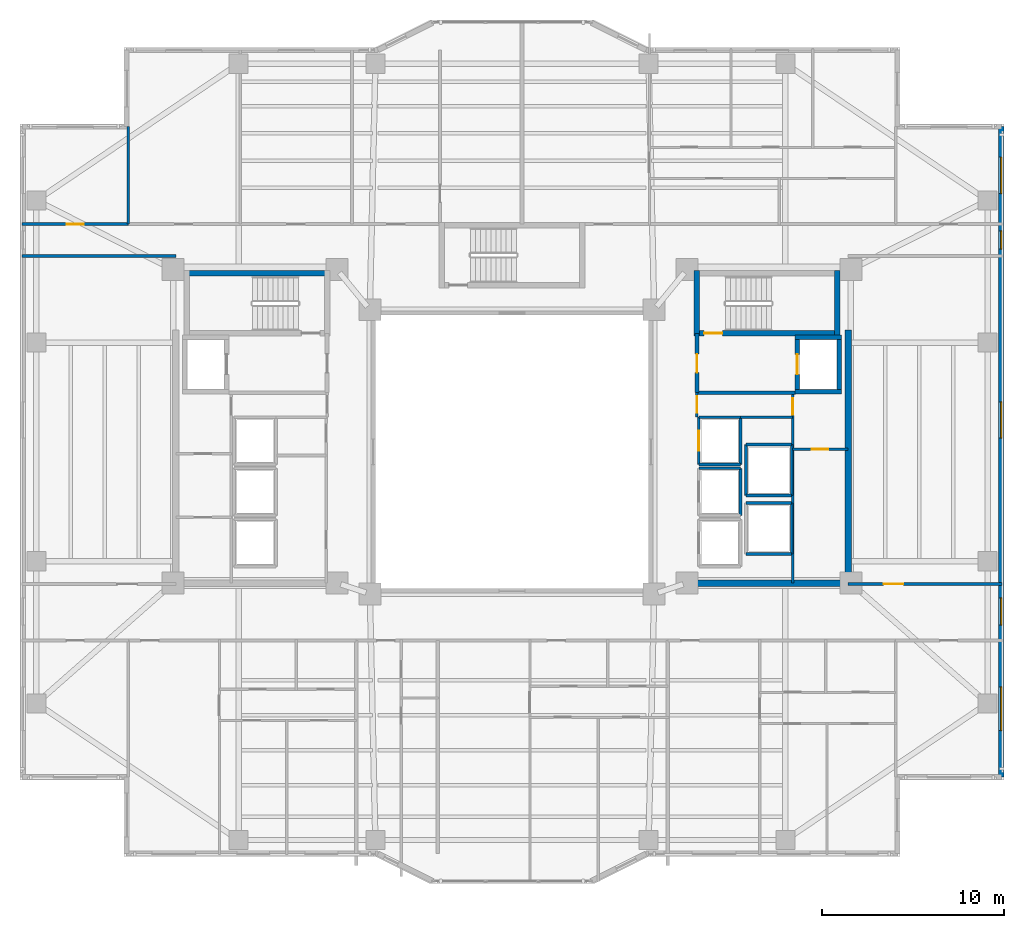
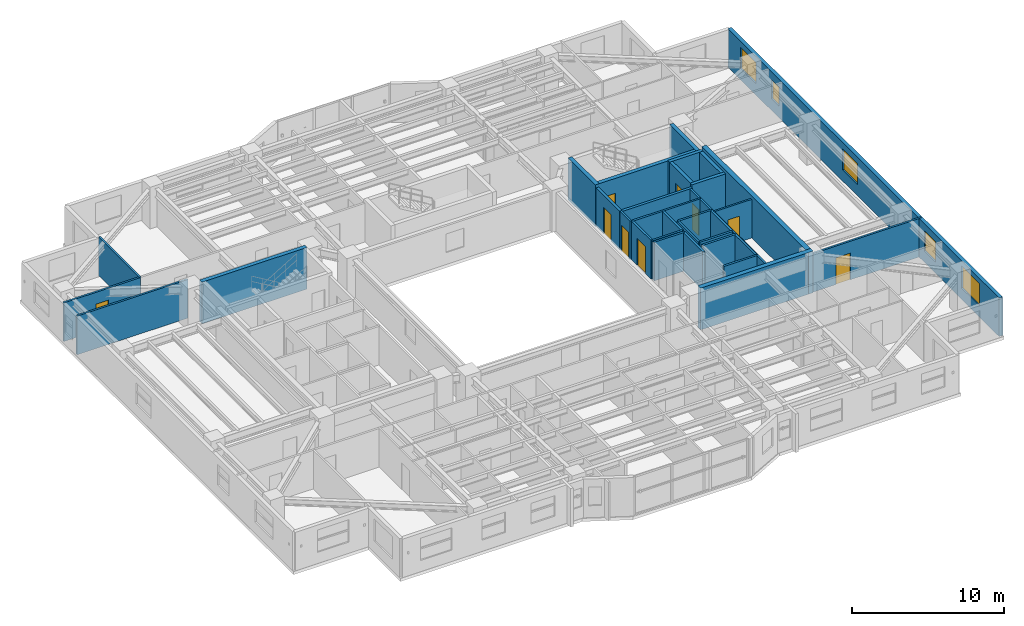
# One storey, part 9 of 18: 34 walls, 9 doors, 5 windows, 14 openings.
"""IFC4 building model written with IfcOpenShell, lengths in metres."""

import ifcopenshell
import ifcopenshell.guid

model = None  # the IFC model being written
_history = None  # IfcOwnerHistory: only IFC2X3 demands one
_inside = {}  # id of a spatial element -> (the spatial element, [elements in it])
_under = {}  # id of a project, library or spatial element -> (it, [spatial elements below it])
_declared = {}  # id of a project -> (the project, [libraries it declares])
_typed = {}  # id of a type object -> (the type object, [elements of that type])
_made_of = {}  # id of a material, layer set ... -> (it, [elements and type objects made of it])


def new_model(schema):
    """Start an empty IFC model of exactly this schema.

    Asked for "IFC4X3", IfcOpenShell would pick the latest addendum, in which some entities
    have other attributes; the version numbers below select the first issue.
    IFC2X3 requires an IfcOwnerHistory on every rooted entity: one is made here for all.
    """
    global model, _history
    if schema == "IFC4X3":
        model = ifcopenshell.file(schema_version=(4, 3, 0, 0))
    else:
        model = ifcopenshell.file(schema=schema)
    _inside.clear()
    _under.clear()
    _declared.clear()
    _typed.clear()
    _made_of.clear()
    _history = None
    if model.schema == "IFC2X3":
        org = make("IfcOrganization", Name="unknown")
        user = make(
            "IfcPersonAndOrganization",
            ThePerson=make("IfcPerson", FamilyName="unknown"),
            TheOrganization=org,
        )
        app = make(
            "IfcApplication",
            ApplicationDeveloper=org,
            Version="unknown",
            ApplicationFullName="unknown",
            ApplicationIdentifier="unknown",
        )
        _history = make(
            "IfcOwnerHistory",
            OwningUser=user,
            OwningApplication=app,
            ChangeAction="ADDED",
            CreationDate=0,
        )
    return model


def make(cls, **values):
    """One entity of the class cls with the attributes given. An attribute that is None is left unset."""
    return model.create_entity(
        cls, **{name: value for name, value in values.items() if value is not None}
    )


def rooted(cls, **values):
    """An entity with a GlobalId (a new one), such as an element, a storey or a relation."""
    return make(cls, GlobalId=ifcopenshell.guid.new(), OwnerHistory=_history, **values)


def si_unit(unit_type, name, prefix=None):
    """IfcSIUnit, for example si_unit("LENGTHUNIT", "METRE", prefix="MILLI")."""
    return make("IfcSIUnit", UnitType=unit_type, Prefix=prefix, Name=name)


def assignment(units):
    """IfcUnitAssignment: the units of a project."""
    return None if units is None else make("IfcUnitAssignment", Units=units)


def point(xyz):
    """IfcCartesianPoint."""
    return None if xyz is None else make("IfcCartesianPoint", Coordinates=xyz)


def direction(xyz):
    """IfcDirection."""
    return None if xyz is None else make("IfcDirection", DirectionRatios=xyz)


def frame(location, z_axis=None, x_axis=None):
    """IfcAxis2Placement3D, a coordinate frame: its origin and axes. An axis left out is left unset."""
    return make(
        "IfcAxis2Placement3D",
        Location=point(location),
        Axis=direction(z_axis),
        RefDirection=direction(x_axis),
    )


def frame_2d(location, x_axis=None):
    """IfcAxis2Placement2D, a coordinate frame in the plane: its origin and x axis."""
    return make(
        "IfcAxis2Placement2D", Location=point(location), RefDirection=direction(x_axis)
    )


def origin():
    """The frame at (0, 0, 0) with its axes left unset."""
    return frame((0.0, 0.0, 0.0))


def place(relative_to, where):
    """IfcLocalPlacement: puts the frame where relative to a parent placement (None: the world)."""
    return make(
        "IfcLocalPlacement", PlacementRelTo=relative_to, RelativePlacement=where
    )


def context(
    kind, dimensions, precision=None, world=None, true_north=None, identifier=None
):
    """IfcGeometricRepresentationContext, for example the 3D "Model" context."""
    return make(
        "IfcGeometricRepresentationContext",
        ContextIdentifier=identifier,
        ContextType=kind,
        CoordinateSpaceDimension=dimensions,
        Precision=precision,
        WorldCoordinateSystem=world,
        TrueNorth=true_north,
    )


def subcontext(parent, identifier, kind, view, scale=None):
    """IfcGeometricRepresentationSubContext, for example "Body" below "Model"."""
    return make(
        "IfcGeometricRepresentationSubContext",
        ContextIdentifier=identifier,
        ContextType=kind,
        ParentContext=parent,
        TargetScale=scale,
        TargetView=view,
    )


def project(units=None, contexts=None):
    """IfcProject with its units and contexts."""
    return rooted(
        "IfcProject",
        Name="project",
        RepresentationContexts=contexts,
        UnitsInContext=assignment(units),
    )


def spatial(cls, under=None, at=None, **own):
    """A site, building, storey or space (cls), placed at a placement, below another one or the project."""
    s = rooted(cls, ObjectPlacement=at, **own)
    if under is not None:
        _under.setdefault(under.id(), (under, []))[1].append(s)
    return s


def profile(cls, at=None, kind="AREA", **sizes):
    """A parametric profile (cls). Its sizes go by their IFC names, for example OverallWidth=200.0."""
    return make(cls, ProfileType=kind, Position=at, **sizes)


def rectangle(**sizes):
    """IfcRectangleProfileDef."""
    return profile("IfcRectangleProfileDef", **sizes)


def extrude(swept, where, along, depth):
    """IfcExtrudedAreaSolid: the profile swept, set in the frame where, extruded along a direction by depth."""
    return make(
        "IfcExtrudedAreaSolid",
        SweptArea=swept,
        Position=where,
        ExtrudedDirection=direction(along),
        Depth=depth,
    )


def shape(context_of_items, identifier, shape_type, items):
    """IfcShapeRepresentation: the items that make up one representation, for example the "Body"."""
    return make(
        "IfcShapeRepresentation",
        ContextOfItems=context_of_items,
        RepresentationIdentifier=identifier,
        RepresentationType=shape_type,
        Items=items,
    )


def material(Name=None, Category=None):
    """IfcMaterial."""
    return make("IfcMaterial", Name=Name, Category=Category)


def layer(
    of_material, thickness, ventilated=None, Name=None, Category=None, Priority=None
):
    """IfcMaterialLayer: one layer of a wall or slab, of a material (None: an air gap)."""
    return make(
        "IfcMaterialLayer",
        Material=of_material,
        LayerThickness=thickness,
        IsVentilated=ventilated,
        Name=Name,
        Category=Category,
        Priority=Priority,
    )


def layer_set(layers, Name=None):
    """IfcMaterialLayerSet."""
    return make("IfcMaterialLayerSet", MaterialLayers=layers, LayerSetName=Name)


def made_of(thing, what):
    """Note that an element or type object is made of a material, layer set ...; save() writes the relation."""
    if what is not None:
        _made_of.setdefault(what.id(), (what, []))[1].append(thing)
    return thing


def type_object(cls, material=None, **own):
    """A type object (cls), such as IfcWallType, which elements share."""
    return made_of(rooted(cls, **own), material)


def element(
    cls,
    number,
    at=None,
    inside=None,
    cuts=None,
    type_object=None,
    material=None,
    context=None,
    identifier="Body",
    shape_type=None,
    held_by="IfcProductDefinitionShape",
    body=None,
    shapes=None,
    **own,
):
    """One element of the class cls, such as IfcWall. Its Tag is "e" and its number.

    at: its placement. inside: the storey or other place that contains it. cuts: it is an
    opening in that element (IfcRelVoidsElement). A single representation is given by context,
    identifier, shape_type and body (its items); several are given by shapes. held_by: the class
    of the entity that holds the representations. save() writes the other relations.
    """
    e = rooted(cls, Tag="e%d" % number, ObjectPlacement=at, **own)
    if body is not None:
        shapes = [shape(context, identifier, shape_type, body)]
    if shapes is not None:
        e.Representation = make(held_by, Representations=shapes)
    if inside is not None:
        _inside.setdefault(inside.id(), (inside, []))[1].append(e)
    if cuts is not None:
        rooted(
            "IfcRelVoidsElement", RelatingBuildingElement=cuts, RelatedOpeningElement=e
        )
    if type_object is not None:
        _typed.setdefault(type_object.id(), (type_object, []))[1].append(e)
    return made_of(e, material)


def fill(opening, filler):
    """IfcRelFillsElement: the door or window that sits in an opening."""
    return rooted(
        "IfcRelFillsElement",
        RelatingOpeningElement=opening,
        RelatedBuildingElement=filler,
    )


def aggregate(whole, parts):
    """IfcRelAggregates: a whole, such as a stair, and the parts it consists of."""
    return rooted("IfcRelAggregates", RelatingObject=whole, RelatedObjects=parts)


def save(model, path):
    """Write the relations noted so far, then the file.

    IfcRelAggregates (storeys below a building ...), IfcRelContainedInSpatialStructure (elements
    in a storey), IfcRelDefinesByType, IfcRelAssociatesMaterial and IfcRelDeclares: one each for
    every whole, place, type object, material and project.
    """
    for whole, parts in _under.values():
        aggregate(whole, parts)
    for where, things in _inside.values():
        rooted(
            "IfcRelContainedInSpatialStructure",
            RelatedElements=things,
            RelatingStructure=where,
        )
    for kind, things in _typed.values():
        rooted("IfcRelDefinesByType", RelatedObjects=things, RelatingType=kind)
    for what, things in _made_of.values():
        rooted("IfcRelAssociatesMaterial", RelatedObjects=things, RelatingMaterial=what)
    for by, libraries in _declared.values():
        rooted("IfcRelDeclares", RelatingContext=by, RelatedDefinitions=libraries)
    model.write(path)


model = new_model("IFC4")

# Units and contexts
model_context = context("Model", 3, precision=1e-05, world=origin(), true_north=direction((0.0, 1.0)))
body_context = subcontext(model_context, "Body", "Model", "MODEL_VIEW")
ifc_project = project(units=[si_unit("LENGTHUNIT", "METRE"), si_unit("AREAUNIT", "SQUARE_METRE"), si_unit("VOLUMEUNIT", "CUBIC_METRE"), si_unit("PLANEANGLEUNIT", "RADIAN"), si_unit("MASSUNIT", "GRAM", prefix="KILO")], contexts=[model_context])

# Site, building, storey
site_placement = place(None, origin())
site = spatial("IfcSite", under=ifc_project, at=site_placement, CompositionType="ELEMENT")
building_placement = place(site_placement, origin())
building = spatial("IfcBuilding", under=site, at=building_placement, Name="Tarnavaz Court Tower", CompositionType="ELEMENT")
storey_placement = place(building_placement, frame((0.0, 0.0, 88.35009765625)))
storey = spatial("IfcBuildingStorey", under=building, at=storey_placement, Name="L23", CompositionType="ELEMENT", Elevation=88.35009765625)

# Wall, opening, door
ifc_material_1 = material(Name="Concrete C60/75", Category="concrete")
ifc_layer_1 = layer(ifc_material_1, 0.25)
ifc_layer_set_1 = layer_set([ifc_layer_1], Name="Concrete C60/75")
wall_type_1 = type_object("IfcWallType", Name="WL-CORE-250-C60", PredefinedType="SHEAR", material=ifc_layer_set_1)
wall_1_placement = place(storey_placement, frame((15.64990234375, 3.175048828125, 0.0), z_axis=(0.0, 0.0, 1.0), x_axis=(0.0, 1.0, 0.0)))
wall_1 = element("IfcWall", 1, at=wall_1_placement, inside=storey, type_object=wall_type_1, Name="L23 Lift FL-E1 Shaft Wall 033", PredefinedType="SHEAR", context=body_context, shape_type="SweptSolid", body=[
    extrude(rectangle(XDim=3.25, YDim=0.25, at=frame_2d((1.625, 0.0))), origin(), (0.0, 0.0, 1.0), 3.349853515625),
])
opening_1_placement = place(wall_1_placement, frame((1.074951171875, 0.0, 0.0)))
opening_1 = element("IfcOpeningElement", 2, at=opening_1_placement, cuts=wall_1, Name="Opening LD1", PredefinedType="OPENING", context=body_context, shape_type="SweptSolid", body=[
    extrude(rectangle(XDim=1.10009765625, YDim=2.14990234375, at=frame_2d((0.550048828125, 1.074951171875))), frame((0.0, 0.135009765625, 0.0), z_axis=(0.0, -1.0, 0.0), x_axis=(1.0, 0.0, 0.0)), (0.0, 0.0, 1.0), 0.27001953125),
])
ifc_material_2 = material(Name="Stainless Steel", Category="steel")
door_type_1 = type_object("IfcDoorType", Name="DR-LD-1100", OperationType="NOTDEFINED", PredefinedType="DOOR", material=ifc_material_2)
door_1_placement = place(opening_1_placement, origin())
door_1 = element("IfcDoor", 3, at=door_1_placement, inside=storey, type_object=door_type_1, Name="L23 Lift Landing Door LD-FL-E1", OperationType="SLIDING_TO_LEFT", OverallHeight=2.14990234375, OverallWidth=1.10009765625, PredefinedType="DOOR", context=body_context, shape_type="SweptSolid", body=[
    extrude(rectangle(XDim=1.10009765625, YDim=2.14990234375, at=frame_2d((0.550048828125, 1.074951171875))), frame((0.0, 0.02490234375, 0.0), z_axis=(0.0, -1.0, 0.0), x_axis=(1.0, 0.0, 0.0)), (0.0, 0.0, 1.0), 0.050048828125),
])
fill(opening_1, door_1)

# Walls
wall_2_placement = place(storey_placement, frame((17.949951171875, 3.175048828125, 0.0), z_axis=(0.0, 0.0, 1.0), x_axis=(0.0, 1.0, 0.0)))
element("IfcWall", 4, at=wall_2_placement, inside=storey, type_object=wall_type_1, Name="L23 Lift FL-E1 Shaft Wall 034", PredefinedType="SHEAR", context=body_context, shape_type="SweptSolid", body=[
    extrude(rectangle(XDim=3.25, YDim=0.25, at=frame_2d((1.625, 0.0))), origin(), (0.0, 0.0, 1.0), 3.349853515625),
])
for number, where, z_axis, x_axis, name in (
    (5, (15.52490234375, 3.300048828125, 0.0), (0.0, 0.0, 1.0), (1.0, 0.0, 0.0), "L23 Lift FL-E1 Shaft Wall 035"),
    (6, (15.52490234375, 6.300048828125, 0.0), (0.0, 0.0, 1.0), (1.0, 0.0, 0.0), "L23 Lift FL-E1 Shaft Wall 036"),
):
    element("IfcWall", number, at=place(storey_placement, frame(where, z_axis=z_axis, x_axis=x_axis)), inside=storey, type_object=wall_type_1, Name=name, PredefinedType="SHEAR", context=body_context, shape_type="SweptSolid", body=[
        extrude(rectangle(XDim=2.550048828125, YDim=0.25, at=frame_2d((1.27490234375, 0.0))), origin(), (0.0, 0.0, 1.0), 3.349853515625),
    ])
ifc_layer_2 = layer(ifc_material_1, 0.300048828125)
ifc_layer_set_2 = layer_set([ifc_layer_2], Name="Concrete C60/75")
wall_type_2 = type_object("IfcWallType", Name="WL-CORE-300-C60", PredefinedType="SHEAR", material=ifc_layer_set_2)
wall_3_placement = place(storey_placement, frame((-18.0, 9.7900390625, 0.0), z_axis=(0.0, 0.0, 1.0), x_axis=(1.0, 0.0, 0.0)))
element("IfcWall", 7, at=wall_3_placement, inside=storey, type_object=wall_type_2, Name="L23 West Stair Core Wall 001", PredefinedType="SHEAR", context=body_context, shape_type="SweptSolid", body=[
    extrude(rectangle(XDim=8.0, YDim=0.300048828125, at=frame_2d((4.0, 0.0))), origin(), (0.0, 0.0, 1.0), 3.349853515625),
])

# Wall, opening, door
wall_4_placement = place(storey_placement, frame((10.0, 6.5, 0.0), z_axis=(0.0, 0.0, 1.0), x_axis=(1.0, 0.0, 0.0)))
wall_4 = element("IfcWall", 8, at=wall_4_placement, inside=storey, type_object=wall_type_2, Name="L23 East Stair Core Wall 006", PredefinedType="SHEAR", context=body_context, shape_type="SweptSolid", body=[
    extrude(rectangle(XDim=8.0, YDim=0.300048828125, at=frame_2d((4.0, 0.0))), origin(), (0.0, 0.0, 1.0), 3.349853515625),
])
opening_2_placement = place(wall_4_placement, frame((0.550048828125, 0.0, 0.0)))
opening_2 = element("IfcOpeningElement", 9, at=opening_2_placement, cuts=wall_4, Name="Opening D01", PredefinedType="OPENING", context=body_context, shape_type="SweptSolid", body=[
    extrude(rectangle(XDim=1.0, YDim=2.14990234375, at=frame_2d((0.5, 1.074951171875))), frame((0.0, 0.159912109375, 0.0), z_axis=(0.0, -1.0, 0.0), x_axis=(1.0, 0.0, 0.0)), (0.0, 0.0, 1.0), 0.320068359375),
])
ifc_material_3 = material(Name="Fire-Rated Hardwood Timber Core", Category="wood")
door_type_2 = type_object("IfcDoorType", Name="DR-FD90-1000", OperationType="NOTDEFINED", PredefinedType="DOOR", material=ifc_material_3)
door_2_placement = place(opening_2_placement, origin())
door_2 = element("IfcDoor", 10, at=door_2_placement, inside=storey, type_object=door_type_2, Name="L23 Stair ST-E1 Exit Door", OperationType="SINGLE_SWING_RIGHT", OverallHeight=2.14990234375, OverallWidth=1.0, PredefinedType="DOOR", context=body_context, shape_type="SweptSolid", body=[
    extrude(rectangle(XDim=1.0, YDim=2.14990234375, at=frame_2d((0.5, 1.074951171875))), frame((0.0, 0.02490234375, 0.0), z_axis=(0.0, -1.0, 0.0), x_axis=(1.0, 0.0, 0.0)), (0.0, 0.0, 1.0), 0.050048828125),
])
fill(opening_2, door_2)

# Walls
for number, where, z_axis, x_axis, name in (
    (11, (10.14990234375, 6.35009765625, 0.0), (0.0, 0.0, 1.0), (0.0, 1.0, 0.0), "L23 East Stair Core Wall 007"),
    (12, (17.85009765625, 6.35009765625, 0.0), (0.0, 0.0, 1.0), (0.0, 1.0, 0.0), "L23 East Stair Core Wall 008"),
):
    element("IfcWall", number, at=place(storey_placement, frame(where, z_axis=z_axis, x_axis=x_axis)), inside=storey, type_object=wall_type_2, Name=name, PredefinedType="SHEAR", context=body_context, shape_type="SweptSolid", body=[
        extrude(rectangle(XDim=3.58984375, YDim=0.300048828125, at=frame_2d((1.794921875, 0.0))), origin(), (0.0, 0.0, 1.0), 3.349853515625),
    ])
ifc_layer_3 = layer(ifc_material_1, 0.35009765625)
ifc_layer_set_3 = layer_set([ifc_layer_3], Name="Concrete C60/75")
wall_type_3 = type_object("IfcWallType", Name="WL-CORE-350-C60", PredefinedType="SHEAR", material=ifc_layer_set_3)
wall_5_placement = place(storey_placement, frame((18.449951171875, -7.375, 0.0), z_axis=(0.0, 0.0, 1.0), x_axis=(0.0, 1.0, 0.0)))
element("IfcWall", 13, at=wall_5_placement, inside=storey, type_object=wall_type_3, Name="L23 East Core Shear Wall 059", PredefinedType="SHEAR", context=body_context, shape_type="SweptSolid", body=[
    extrude(rectangle(XDim=14.050048828125, YDim=0.35009765625, at=frame_2d((7.02490234375, 0.0))), origin(), (0.0, 0.0, 1.0), 3.349853515625),
])
wall_6_placement = place(storey_placement, frame((10.074951171875, -7.199951171875, 0.0), z_axis=(0.0, 0.0, 1.0), x_axis=(1.0, 0.0, 0.0)))
element("IfcWall", 14, at=wall_6_placement, inside=storey, type_object=wall_type_3, Name="L23 East Core South Shear Wall 060", PredefinedType="SHEAR", context=body_context, shape_type="SweptSolid", body=[
    extrude(rectangle(XDim=8.550048828125, YDim=0.35009765625, at=frame_2d((4.27490234375, 0.0))), origin(), (0.0, 0.0, 1.0), 3.349853515625),
])

# Wall, openings, windows
ifc_material_4 = material(Name="Precast Concrete C40/50", Category="concrete")
ifc_layer_4 = layer(ifc_material_4, 0.280029296875)
ifc_layer_set_4 = layer_set([ifc_layer_4], Name="Precast Concrete C40/50")
wall_type_4 = type_object("IfcWallType", Name="WL-EXT-280", PredefinedType="SOLIDWALL", material=ifc_layer_set_4)
wall_7_placement = place(storey_placement, frame((26.85009765625, 17.85009765625, 0.0), z_axis=(0.0, 0.0, 1.0), x_axis=(0.0, -1.0, 0.0)))
wall_7 = element("IfcWall", 15, at=wall_7_placement, inside=storey, type_object=wall_type_4, Name="L23 Exterior Terracotta Facade Wall 12", PredefinedType="SOLIDWALL", context=body_context, shape_type="SweptSolid", body=[
    extrude(rectangle(XDim=35.7001953125, YDim=0.280029296875, at=frame_2d((17.85009765625, 0.0))), origin(), (0.0, 0.0, 1.0), 3.099853515625),
])
opening_3_placement = place(wall_7_placement, frame((1.675048828125, 0.0, 0.89990234375)))
opening_3 = element("IfcOpeningElement", 16, at=opening_3_placement, cuts=wall_7, Name="Opening W08", PredefinedType="OPENING", context=body_context, shape_type="SweptSolid", body=[
    extrude(rectangle(XDim=2.0, YDim=1.699951171875, at=frame_2d((1.0, 0.85009765625))), frame((0.0, 0.14990234375, 0.0), z_axis=(0.0, -1.0, 0.0), x_axis=(1.0, 0.0, 0.0)), (0.0, 0.0, 1.0), 0.300048828125),
])
opening_4_placement = place(wall_7_placement, frame((5.72509765625, 0.0, 0.949951171875)))
opening_4 = element("IfcOpeningElement", 17, at=opening_4_placement, cuts=wall_7, Name="Opening W14", PredefinedType="OPENING", context=body_context, shape_type="SweptSolid", body=[
    extrude(rectangle(XDim=1.0, YDim=1.5, at=frame_2d((0.5, 0.75))), frame((0.0, 0.14990234375, 0.0), z_axis=(0.0, -1.0, 0.0), x_axis=(1.0, 0.0, 0.0)), (0.0, 0.0, 1.0), 0.300048828125),
])
opening_5_placement = place(wall_7_placement, frame((15.10009765625, 0.0, 0.89990234375)))
opening_5 = element("IfcOpeningElement", 18, at=opening_5_placement, cuts=wall_7, Name="Opening W08", PredefinedType="OPENING", context=body_context, shape_type="SweptSolid", body=[
    extrude(rectangle(XDim=2.0, YDim=1.699951171875, at=frame_2d((1.0, 0.85009765625))), frame((0.0, 0.14990234375, 0.0), z_axis=(0.0, -1.0, 0.0), x_axis=(1.0, 0.0, 0.0)), (0.0, 0.0, 1.0), 0.300048828125),
])
opening_6_placement = place(wall_7_placement, frame((25.857421875, 0.0, 0.89990234375)))
opening_6 = element("IfcOpeningElement", 19, at=opening_6_placement, cuts=wall_7, Name="Opening W03", PredefinedType="OPENING", context=body_context, shape_type="SweptSolid", body=[
    extrude(rectangle(XDim=1.5, YDim=1.64990234375, at=frame_2d((0.75, 0.824951171875))), frame((0.0, 0.14990234375, 0.0), z_axis=(0.0, -1.0, 0.0), x_axis=(1.0, 0.0, 0.0)), (0.0, 0.0, 1.0), 0.300048828125),
])
opening_7_placement = place(wall_7_placement, frame((30.75, 0.0, 0.89990234375)))
opening_7 = element("IfcOpeningElement", 20, at=opening_7_placement, cuts=wall_7, Name="Opening W06", PredefinedType="OPENING", context=body_context, shape_type="SweptSolid", body=[
    extrude(rectangle(XDim=2.39990234375, YDim=1.800048828125, at=frame_2d((1.199951171875, 0.89990234375))), frame((0.0, 0.14990234375, 0.0), z_axis=(0.0, -1.0, 0.0), x_axis=(1.0, 0.0, 0.0)), (0.0, 0.0, 1.0), 0.300048828125),
])
ifc_material_5 = material(Name="Double-Glazed Solar Low-E Glass", Category="glass")
window_type_1 = type_object("IfcWindowType", Name="WN-APT-1000", PartitioningType="SINGLE_PANEL", PredefinedType="WINDOW", material=ifc_material_5)
window_1_placement = place(opening_4_placement, origin())
window_1 = element("IfcWindow", 21, at=window_1_placement, inside=storey, type_object=window_type_1, Name="L23 North-East Corner Corridor Window", OverallHeight=1.5, OverallWidth=1.0, PartitioningType="SINGLE_PANEL", PredefinedType="WINDOW", context=body_context, shape_type="SweptSolid", body=[
    extrude(rectangle(XDim=1.0, YDim=1.5, at=frame_2d((0.5, 0.75))), frame((0.0, 0.030029296875, 0.0), z_axis=(0.0, -1.0, 0.0), x_axis=(1.0, 0.0, 0.0)), (0.0, 0.0, 1.0), 0.06005859375),
])
fill(opening_4, window_1)
window_type_2 = type_object("IfcWindowType", Name="WN-APT-1500", PartitioningType="DOUBLE_PANEL_VERTICAL", PredefinedType="WINDOW", material=ifc_material_5)
window_2_placement = place(opening_6_placement, origin())
window_2 = element("IfcWindow", 22, at=window_2_placement, inside=storey, type_object=window_type_2, Name="L23 South-East Corner Corridor Window", OverallHeight=1.64990234375, OverallWidth=1.5, PartitioningType="SINGLE_PANEL", PredefinedType="WINDOW", context=body_context, shape_type="SweptSolid", body=[
    extrude(rectangle(XDim=1.5, YDim=1.64990234375, at=frame_2d((0.75, 0.824951171875))), frame((0.0, 0.030029296875, 0.0), z_axis=(0.0, -1.0, 0.0), x_axis=(1.0, 0.0, 0.0)), (0.0, 0.0, 1.0), 0.06005859375),
])
fill(opening_6, window_2)
window_type_3 = type_object("IfcWindowType", Name="WN-APT-2000", PartitioningType="DOUBLE_PANEL_VERTICAL", PredefinedType="WINDOW", material=ifc_material_5)
window_3_placement = place(opening_3_placement, origin())
window_3 = element("IfcWindow", 23, at=window_3_placement, inside=storey, type_object=window_type_3, Name="L23 North-East Corner Sunroom Study Window", OverallHeight=1.699951171875, OverallWidth=2.0, PartitioningType="SINGLE_PANEL", PredefinedType="WINDOW", context=body_context, shape_type="SweptSolid", body=[
    extrude(rectangle(XDim=2.0, YDim=1.699951171875, at=frame_2d((1.0, 0.85009765625))), frame((0.0, 0.030029296875, 0.0), z_axis=(0.0, -1.0, 0.0), x_axis=(1.0, 0.0, 0.0)), (0.0, 0.0, 1.0), 0.06005859375),
])
fill(opening_3, window_3)
window_4_placement = place(opening_5_placement, origin())
window_4 = element("IfcWindow", 24, at=window_4_placement, inside=storey, type_object=window_type_3, Name="L23 East Wing Resident Fitness Lounge Window", OverallHeight=1.699951171875, OverallWidth=2.0, PartitioningType="SINGLE_PANEL", PredefinedType="WINDOW", context=body_context, shape_type="SweptSolid", body=[
    extrude(rectangle(XDim=2.0, YDim=1.699951171875, at=frame_2d((1.0, 0.85009765625))), frame((0.0, 0.030029296875, 0.0), z_axis=(0.0, -1.0, 0.0), x_axis=(1.0, 0.0, 0.0)), (0.0, 0.0, 1.0), 0.06005859375),
])
fill(opening_5, window_4)
window_type_4 = type_object("IfcWindowType", Name="WN-APT-2400", PartitioningType="TRIPLE_PANEL_VERTICAL", PredefinedType="WINDOW", material=ifc_material_5)
window_5_placement = place(opening_7_placement, origin())
window_5 = element("IfcWindow", 25, at=window_5_placement, inside=storey, type_object=window_type_4, Name="L23 South-East Corner Reading Room Window", OverallHeight=1.800048828125, OverallWidth=2.39990234375, PartitioningType="SINGLE_PANEL", PredefinedType="WINDOW", context=body_context, shape_type="SweptSolid", body=[
    extrude(rectangle(XDim=2.39990234375, YDim=1.800048828125, at=frame_2d((1.199951171875, 0.89990234375))), frame((0.0, 0.030029296875, 0.0), z_axis=(0.0, -1.0, 0.0), x_axis=(1.0, 0.0, 0.0)), (0.0, 0.0, 1.0), 0.06005859375),
])
fill(opening_7, window_5)

# Wall
ifc_material_6 = material(Name="Gypsum Fire-Board on Acoustic Metal Stud", Category="masonry")
ifc_layer_5 = layer(ifc_material_6, 0.14990234375)
ifc_layer_set_5 = layer_set([ifc_layer_5], Name="Gypsum Fire-Board on Acoustic Metal Stud")
wall_type_5 = type_object("IfcWallType", Name="WL-FIRE-150", PredefinedType="PARTITIONING", material=ifc_layer_set_5)
wall_8_placement = place(storey_placement, frame((-26.8798828125, 10.75, 0.0), z_axis=(0.0, 0.0, 1.0), x_axis=(1.0, 0.0, 0.0)))
element("IfcWall", 26, at=wall_8_placement, inside=storey, type_object=wall_type_5, Name="L23 Interior Partition 113", PredefinedType="PARTITIONING", context=body_context, shape_type="SweptSolid", body=[
    extrude(rectangle(XDim=8.429931640625, YDim=0.14990234375, at=frame_2d((4.21484375, 0.0))), origin(), (0.0, 0.0, 1.0), 3.099853515625),
])

# Wall, opening, door
wall_9_placement = place(storey_placement, frame((18.449951171875, -7.25, 0.0), z_axis=(0.0, 0.0, 1.0), x_axis=(1.0, 0.0, 0.0)))
wall_9 = element("IfcWall", 27, at=wall_9_placement, inside=storey, type_object=wall_type_5, Name="L23 Interior Partition 114", PredefinedType="PARTITIONING", context=body_context, shape_type="SweptSolid", body=[
    extrude(rectangle(XDim=8.429931640625, YDim=0.14990234375, at=frame_2d((4.21484375, 0.0))), origin(), (0.0, 0.0, 1.0), 3.099853515625),
])
opening_8_placement = place(wall_9_placement, frame((1.949951171875, 0.0, 0.0)))
opening_8 = element("IfcOpeningElement", 28, at=opening_8_placement, cuts=wall_9, Name="Opening D12", PredefinedType="OPENING", context=body_context, shape_type="SweptSolid", body=[
    extrude(rectangle(XDim=1.080078125, YDim=2.14990234375, at=frame_2d((0.5400390625, 1.074951171875))), frame((0.0, 0.0849609375, 0.0), z_axis=(0.0, -1.0, 0.0), x_axis=(1.0, 0.0, 0.0)), (0.0, 0.0, 1.0), 0.169921875),
])
ifc_material_7 = material(Name="Engineered Oak Timber", Category="wood")
door_type_3 = type_object("IfcDoorType", Name="DR-INT-1100", OperationType="NOTDEFINED", PredefinedType="DOOR", material=ifc_material_7)
door_3_placement = place(opening_8_placement, origin())
door_3 = element("IfcDoor", 29, at=door_3_placement, inside=storey, type_object=door_type_3, Name="L23 East Fitness Lounge Door", OperationType="SINGLE_SWING_LEFT", OverallHeight=2.14990234375, OverallWidth=1.080078125, PredefinedType="DOOR", context=body_context, shape_type="SweptSolid", body=[
    extrude(rectangle(XDim=1.080078125, YDim=2.14990234375, at=frame_2d((0.5400390625, 1.074951171875))), frame((0.0, 0.02490234375, 0.0), z_axis=(0.0, -1.0, 0.0), x_axis=(1.0, 0.0, 0.0)), (0.0, 0.0, 1.0), 0.050048828125),
])
fill(opening_8, door_3)

wall_10_placement = place(storey_placement, frame((-26.8798828125, 12.5, 0.0), z_axis=(0.0, 0.0, 1.0), x_axis=(1.0, 0.0, 0.0)))
wall_10 = element("IfcWall", 30, at=wall_10_placement, inside=storey, type_object=wall_type_5, Name="L23 Interior Partition 120", PredefinedType="PARTITIONING", context=body_context, shape_type="SweptSolid", body=[
    extrude(rectangle(XDim=5.829833984375, YDim=0.14990234375, at=frame_2d((2.9150390625, 0.0))), origin(), (0.0, 0.0, 1.0), 3.099853515625),
])
opening_9_placement = place(wall_10_placement, frame((2.43994140625, 0.0, 0.0)))
opening_9 = element("IfcOpeningElement", 31, at=opening_9_placement, cuts=wall_10, Name="Opening D13", PredefinedType="OPENING", context=body_context, shape_type="SweptSolid", body=[
    extrude(rectangle(XDim=0.949951171875, YDim=2.14990234375, at=frame_2d((0.47509765625, 1.074951171875))), frame((0.0, 0.0849609375, 0.0), z_axis=(0.0, -1.0, 0.0), x_axis=(1.0, 0.0, 0.0)), (0.0, 0.0, 1.0), 0.169921875),
])
door_type_4 = type_object("IfcDoorType", Name="DR-INT-950", OperationType="NOTDEFINED", PredefinedType="DOOR", material=ifc_material_7)
door_4_placement = place(opening_9_placement, origin())
door_4 = element("IfcDoor", 32, at=door_4_placement, inside=storey, type_object=door_type_4, Name="L23 NW Sunroom Door", OperationType="SINGLE_SWING_RIGHT", OverallHeight=2.14990234375, OverallWidth=0.949951171875, PredefinedType="DOOR", context=body_context, shape_type="SweptSolid", body=[
    extrude(rectangle(XDim=0.949951171875, YDim=2.14990234375, at=frame_2d((0.47509765625, 1.074951171875))), frame((0.0, 0.02490234375, 0.0), z_axis=(0.0, -1.0, 0.0), x_axis=(1.0, 0.0, 0.0)), (0.0, 0.0, 1.0), 0.050048828125),
])
fill(opening_9, door_4)

# Wall
ifc_material_8 = material(Name="Autoclaved Aerated Concrete Blockwork", Category="masonry")
ifc_layer_6 = layer(ifc_material_8, 0.199951171875)
ifc_layer_set_6 = layer_set([ifc_layer_6], Name="Autoclaved Aerated Concrete Blockwork")
wall_type_6 = type_object("IfcWallType", Name="WL-FIRE-200", PredefinedType="SOLIDWALL", material=ifc_layer_set_6)
wall_11_placement = place(storey_placement, frame((10.14990234375, 3.25, 0.0), z_axis=(0.0, 0.0, 1.0), x_axis=(1.0, 0.0, 0.0)))
element("IfcWall", 33, at=wall_11_placement, inside=storey, type_object=wall_type_6, Name="L23 East Firefighting Lobby Wall 015", PredefinedType="SOLIDWALL", context=body_context, shape_type="SweptSolid", body=[
    extrude(rectangle(XDim=5.400146484375, YDim=0.199951171875, at=frame_2d((2.7001953125, 0.0))), origin(), (0.0, 0.0, 1.0), 3.099853515625),
])

# Wall, opening, door
wall_12_placement = place(storey_placement, frame((10.14990234375, 3.25, 0.0), z_axis=(0.0, 0.0, 1.0), x_axis=(0.0, 1.0, 0.0)))
wall_12 = element("IfcWall", 34, at=wall_12_placement, inside=storey, type_object=wall_type_6, Name="L23 East Firefighting Lobby Wall 016", PredefinedType="SOLIDWALL", context=body_context, shape_type="SweptSolid", body=[
    extrude(rectangle(XDim=3.25, YDim=0.199951171875, at=frame_2d((1.625, 0.0))), origin(), (0.0, 0.0, 1.0), 3.099853515625),
])
opening_10_placement = place(wall_12_placement, frame((1.10009765625, 0.0, 0.0)))
opening_10 = element("IfcOpeningElement", 35, at=opening_10_placement, cuts=wall_12, Name="Opening D05", PredefinedType="OPENING", context=body_context, shape_type="SweptSolid", body=[
    extrude(rectangle(XDim=1.02001953125, YDim=2.14990234375, at=frame_2d((0.510009765625, 1.074951171875))), frame((0.0, 0.10986328125, 0.0), z_axis=(0.0, -1.0, 0.0), x_axis=(1.0, 0.0, 0.0)), (0.0, 0.0, 1.0), 0.219970703125),
])
door_type_5 = type_object("IfcDoorType", Name="DR-FD60-1000", OperationType="NOTDEFINED", PredefinedType="DOOR", material=ifc_material_3)
door_5_placement = place(opening_10_placement, origin())
door_5 = element("IfcDoor", 36, at=door_5_placement, inside=storey, type_object=door_type_5, Name="L23 East Firefighting Lobby Door", OperationType="SINGLE_SWING_LEFT", OverallHeight=2.14990234375, OverallWidth=1.02001953125, PredefinedType="DOOR", context=body_context, shape_type="SweptSolid", body=[
    extrude(rectangle(XDim=1.02001953125, YDim=2.14990234375, at=frame_2d((0.510009765625, 1.074951171875))), frame((0.0, 0.02490234375, 0.0), z_axis=(0.0, -1.0, 0.0), x_axis=(1.0, 0.0, 0.0)), (0.0, 0.0, 1.0), 0.050048828125),
])
fill(opening_10, door_5)

# Wall
ifc_material_9 = material(Name="Gypsum Plasterboard Acoustic Partition", Category="masonry")
ifc_layer_7 = layer(ifc_material_9, 0.139892578125)
ifc_layer_set_7 = layer_set([ifc_layer_7], Name="Gypsum Plasterboard Acoustic Partition")
wall_type_7 = type_object("IfcWallType", Name="WL-PART-150", PredefinedType="PARTITIONING", material=ifc_layer_set_7)
wall_13_placement = place(storey_placement, frame((12.550048828125, 1.89990234375, 0.0), z_axis=(0.0, 0.0, 1.0), x_axis=(1.0, 0.0, 0.0)))
element("IfcWall", 37, at=wall_13_placement, inside=storey, type_object=wall_type_7, Name="L23 Interior Partition 068", PredefinedType="PARTITIONING", context=body_context, shape_type="SweptSolid", body=[
    extrude(rectangle(XDim=2.849853515625, YDim=0.139892578125, at=frame_2d((1.4248046875, 0.0))), origin(), (0.0, 0.0, 1.0), 3.099853515625),
])

# Wall, opening, door
wall_14_placement = place(storey_placement, frame((10.14990234375, 1.919921875, 0.0), z_axis=(0.0, 0.0, 1.0), x_axis=(0.0, 1.0, 0.0)))
wall_14 = element("IfcWall", 38, at=wall_14_placement, inside=storey, type_object=wall_type_7, Name="L23 Interior Partition 069", PredefinedType="PARTITIONING", context=body_context, shape_type="SweptSolid", body=[
    extrude(rectangle(XDim=1.330078125, YDim=0.139892578125, at=frame_2d((0.6650390625, 0.0))), origin(), (0.0, 0.0, 1.0), 3.099853515625),
])
opening_11_placement = place(wall_14_placement, frame((0.219970703125, 0.0, 0.0)))
opening_11 = element("IfcOpeningElement", 39, at=opening_11_placement, cuts=wall_14, Name="Opening D09", PredefinedType="OPENING", context=body_context, shape_type="SweptSolid", body=[
    extrude(rectangle(XDim=0.89990234375, YDim=2.080078125, at=frame_2d((0.449951171875, 1.0400390625))), frame((0.0, 0.079833984375, 0.0), z_axis=(0.0, -1.0, 0.0), x_axis=(1.0, 0.0, 0.0)), (0.0, 0.0, 1.0), 0.159912109375),
])
door_type_6 = type_object("IfcDoorType", Name="DR-FD30-900", OperationType="NOTDEFINED", PredefinedType="DOOR", material=ifc_material_3)
door_6_placement = place(opening_11_placement, origin())
door_6 = element("IfcDoor", 40, at=door_6_placement, inside=storey, type_object=door_type_6, Name="L23 East Core Service Lobby Door", OperationType="SINGLE_SWING_LEFT", OverallHeight=2.080078125, OverallWidth=0.89990234375, PredefinedType="DOOR", context=body_context, shape_type="SweptSolid", body=[
    extrude(rectangle(XDim=0.89990234375, YDim=2.080078125, at=frame_2d((0.449951171875, 1.0400390625))), frame((0.0, 0.02490234375, 0.0), z_axis=(0.0, -1.0, 0.0), x_axis=(1.0, 0.0, 0.0)), (0.0, 0.0, 1.0), 0.050048828125),
])
fill(opening_11, door_6)

wall_15_placement = place(storey_placement, frame((15.39990234375, -7.199951171875, 0.0), z_axis=(0.0, 0.0, 1.0), x_axis=(0.0, 1.0, 0.0)))
wall_15 = element("IfcWall", 41, at=wall_15_placement, inside=storey, type_object=wall_type_7, Name="L23 Interior Partition 070", PredefinedType="PARTITIONING", context=body_context, shape_type="SweptSolid", body=[
    extrude(rectangle(XDim=10.449951171875, YDim=0.139892578125, at=frame_2d((5.22509765625, 0.0))), origin(), (0.0, 0.0, 1.0), 3.099853515625),
])
opening_12_placement = place(wall_15_placement, frame((9.25, 0.0, 0.0)))
opening_12 = element("IfcOpeningElement", 42, at=opening_12_placement, cuts=wall_15, Name="Opening D09", PredefinedType="OPENING", context=body_context, shape_type="SweptSolid", body=[
    extrude(rectangle(XDim=0.89990234375, YDim=2.080078125, at=frame_2d((0.449951171875, 1.0400390625))), frame((0.0, 0.079833984375, 0.0), z_axis=(0.0, -1.0, 0.0), x_axis=(1.0, 0.0, 0.0)), (0.0, 0.0, 1.0), 0.159912109375),
])
door_7_placement = place(opening_12_placement, origin())
door_7 = element("IfcDoor", 43, at=door_7_placement, inside=storey, type_object=door_type_6, Name="L23 East Wet Riser Door", OperationType="SINGLE_SWING_RIGHT", OverallHeight=2.080078125, OverallWidth=0.89990234375, PredefinedType="DOOR", context=body_context, shape_type="SweptSolid", body=[
    extrude(rectangle(XDim=0.89990234375, YDim=2.080078125, at=frame_2d((0.449951171875, 1.0400390625))), frame((0.0, 0.02490234375, 0.0), z_axis=(0.0, -1.0, 0.0), x_axis=(1.0, 0.0, 0.0)), (0.0, 0.0, 1.0), 0.050048828125),
])
fill(opening_12, door_7)

wall_16_placement = place(storey_placement, frame((15.39990234375, 0.14990234375, 0.0), z_axis=(0.0, 0.0, 1.0), x_axis=(1.0, 0.0, 0.0)))
wall_16 = element("IfcWall", 44, at=wall_16_placement, inside=storey, type_object=wall_type_7, Name="L23 Interior Partition 071", PredefinedType="PARTITIONING", context=body_context, shape_type="SweptSolid", body=[
    extrude(rectangle(XDim=3.050048828125, YDim=0.139892578125, at=frame_2d((1.52490234375, 0.0))), origin(), (0.0, 0.0, 1.0), 3.099853515625),
])
opening_13_placement = place(wall_16_placement, frame((1.050048828125, 0.0, 0.0)))
opening_13 = element("IfcOpeningElement", 45, at=opening_13_placement, cuts=wall_16, Name="Opening D09", PredefinedType="OPENING", context=body_context, shape_type="SweptSolid", body=[
    extrude(rectangle(XDim=0.89990234375, YDim=2.080078125, at=frame_2d((0.449951171875, 1.0400390625))), frame((0.0, 0.079833984375, 0.0), z_axis=(0.0, -1.0, 0.0), x_axis=(1.0, 0.0, 0.0)), (0.0, 0.0, 1.0), 0.159912109375),
])
door_8_placement = place(opening_13_placement, origin())
door_8 = element("IfcDoor", 46, at=door_8_placement, inside=storey, type_object=door_type_6, Name="L23 East Electrical Plant Door", OperationType="SINGLE_SWING_LEFT", OverallHeight=2.080078125, OverallWidth=0.89990234375, PredefinedType="DOOR", context=body_context, shape_type="SweptSolid", body=[
    extrude(rectangle(XDim=0.89990234375, YDim=2.080078125, at=frame_2d((0.449951171875, 1.0400390625))), frame((0.0, 0.02490234375, 0.0), z_axis=(0.0, -1.0, 0.0), x_axis=(1.0, 0.0, 0.0)), (0.0, 0.0, 1.0), 0.050048828125),
])
fill(opening_13, door_8)

# Walls
wall_17_placement = place(storey_placement, frame((-21.050048828125, 12.5, 0.0), z_axis=(0.0, 0.0, 1.0), x_axis=(0.0, 1.0, 0.0)))
element("IfcWall", 47, at=wall_17_placement, inside=storey, type_object=wall_type_7, Name="L23 Interior Partition 118", PredefinedType="PARTITIONING", context=body_context, shape_type="SweptSolid", body=[
    extrude(rectangle(XDim=5.35009765625, YDim=0.139892578125, at=frame_2d((2.675048828125, 0.0))), origin(), (0.0, 0.0, 1.0), 3.099853515625),
])
ifc_layer_8 = layer(ifc_material_8, 0.159912109375)
ifc_layer_set_8 = layer_set([ifc_layer_8], Name="Autoclaved Aerated Concrete Blockwork")
wall_type_8 = type_object("IfcWallType", Name="WL-SHAFT-150", PredefinedType="SOLIDWALL", material=ifc_layer_set_8)
wall_18_placement = place(storey_placement, frame((12.550048828125, -3.5, 0.0), z_axis=(0.0, 0.0, 1.0), x_axis=(0.0, 1.0, 0.0)))
element("IfcWall", 48, at=wall_18_placement, inside=storey, type_object=wall_type_8, Name="L23 Lift PL-M2 Shaft Wall 042", PredefinedType="SOLIDWALL", context=body_context, shape_type="SweptSolid", body=[
    extrude(rectangle(XDim=2.60009765625, YDim=0.159912109375, at=frame_2d((1.300048828125, 0.0))), origin(), (0.0, 0.0, 1.0), 3.099853515625),
])
wall_19_placement = place(storey_placement, frame((10.25, -0.89990234375, 0.0), z_axis=(0.0, 0.0, 1.0), x_axis=(1.0, 0.0, 0.0)))
element("IfcWall", 49, at=wall_19_placement, inside=storey, type_object=wall_type_8, Name="L23 Lift PL-M2 Shaft Wall 044", PredefinedType="SOLIDWALL", context=body_context, shape_type="SweptSolid", body=[
    extrude(rectangle(XDim=2.300048828125, YDim=0.159912109375, at=frame_2d((1.14990234375, 0.0))), origin(), (0.0, 0.0, 1.0), 3.099853515625),
])

# Wall, opening, door
wall_20_placement = place(storey_placement, frame((10.25, -0.699951171875, 0.0), z_axis=(0.0, 0.0, 1.0), x_axis=(0.0, 1.0, 0.0)))
wall_20 = element("IfcWall", 50, at=wall_20_placement, inside=storey, type_object=wall_type_8, Name="L23 Lift PL-M3 Shaft Wall 045", PredefinedType="SOLIDWALL", context=body_context, shape_type="SweptSolid", body=[
    extrude(rectangle(XDim=2.599853515625, YDim=0.159912109375, at=frame_2d((1.2998046875, 0.0))), origin(), (0.0, 0.0, 1.0), 3.099853515625),
])
opening_14_placement = place(wall_20_placement, frame((0.75, 0.0, 0.0)))
opening_14 = element("IfcOpeningElement", 51, at=opening_14_placement, cuts=wall_20, Name="Opening LD1", PredefinedType="OPENING", context=body_context, shape_type="SweptSolid", body=[
    extrude(rectangle(XDim=1.10009765625, YDim=2.14990234375, at=frame_2d((0.550048828125, 1.074951171875))), frame((0.0, 0.08984375, 0.0), z_axis=(0.0, -1.0, 0.0), x_axis=(1.0, 0.0, 0.0)), (0.0, 0.0, 1.0), 0.179931640625),
])
door_9_placement = place(opening_14_placement, origin())
door_9 = element("IfcDoor", 52, at=door_9_placement, inside=storey, type_object=door_type_1, Name="L23 Lift Landing Door LD-PL-M3", OperationType="SLIDING_TO_LEFT", OverallHeight=2.14990234375, OverallWidth=1.10009765625, PredefinedType="DOOR", context=body_context, shape_type="SweptSolid", body=[
    extrude(rectangle(XDim=1.10009765625, YDim=2.14990234375, at=frame_2d((0.550048828125, 1.074951171875))), frame((0.0, 0.02490234375, 0.0), z_axis=(0.0, -1.0, 0.0), x_axis=(1.0, 0.0, 0.0)), (0.0, 0.0, 1.0), 0.050048828125),
])
fill(opening_14, door_9)

# Walls
wall_21_placement = place(storey_placement, frame((12.550048828125, -0.699951171875, 0.0), z_axis=(0.0, 0.0, 1.0), x_axis=(0.0, 1.0, 0.0)))
element("IfcWall", 53, at=wall_21_placement, inside=storey, type_object=wall_type_8, Name="L23 Lift PL-M3 Shaft Wall 046", PredefinedType="SOLIDWALL", context=body_context, shape_type="SweptSolid", body=[
    extrude(rectangle(XDim=2.599853515625, YDim=0.159912109375, at=frame_2d((1.2998046875, 0.0))), origin(), (0.0, 0.0, 1.0), 3.099853515625),
])
for number, where, z_axis, x_axis, name in (
    (54, (10.25, -0.699951171875, 0.0), (0.0, 0.0, 1.0), (1.0, 0.0, 0.0), "L23 Lift PL-M3 Shaft Wall 047"),
    (55, (10.25, 1.89990234375, 0.0), (0.0, 0.0, 1.0), (1.0, 0.0, 0.0), "L23 Lift PL-M3 Shaft Wall 048"),
):
    element("IfcWall", number, at=place(storey_placement, frame(where, z_axis=z_axis, x_axis=x_axis)), inside=storey, type_object=wall_type_8, Name=name, PredefinedType="SOLIDWALL", context=body_context, shape_type="SweptSolid", body=[
        extrude(rectangle(XDim=2.300048828125, YDim=0.159912109375, at=frame_2d((1.14990234375, 0.0))), origin(), (0.0, 0.0, 1.0), 3.099853515625),
    ])
wall_22_placement = place(storey_placement, frame((15.35009765625, -5.60009765625, 0.0), z_axis=(0.0, 0.0, 1.0), x_axis=(0.0, 1.0, 0.0)))
element("IfcWall", 56, at=wall_22_placement, inside=storey, type_object=wall_type_8, Name="L23 Lift PL-OB1 Shaft Wall 050", PredefinedType="SOLIDWALL", context=body_context, shape_type="SweptSolid", body=[
    extrude(rectangle(XDim=2.800048828125, YDim=0.159912109375, at=frame_2d((1.39990234375, 0.0))), origin(), (0.0, 0.0, 1.0), 3.099853515625),
])
for number, where, z_axis, x_axis, name in (
    (57, (12.85009765625, -5.60009765625, 0.0), (0.0, 0.0, 1.0), (1.0, 0.0, 0.0), "L23 Lift PL-OB1 Shaft Wall 051"),
    (58, (12.85009765625, -2.800048828125, 0.0), (0.0, 0.0, 1.0), (1.0, 0.0, 0.0), "L23 Lift PL-OB1 Shaft Wall 052"),
):
    element("IfcWall", number, at=place(storey_placement, frame(where, z_axis=z_axis, x_axis=x_axis)), inside=storey, type_object=wall_type_8, Name=name, PredefinedType="SOLIDWALL", context=body_context, shape_type="SweptSolid", body=[
        extrude(rectangle(XDim=2.5, YDim=0.159912109375, at=frame_2d((1.25, 0.0))), origin(), (0.0, 0.0, 1.0), 3.099853515625),
    ])
for number, where, z_axis, x_axis, name in (
    (59, (12.85009765625, -2.39990234375, 0.0), (0.0, 0.0, 1.0), (0.0, 1.0, 0.0), "L23 Lift PL-OB2 Shaft Wall 053"),
    (60, (15.35009765625, -2.39990234375, 0.0), (0.0, 0.0, 1.0), (0.0, 1.0, 0.0), "L23 Lift PL-OB2 Shaft Wall 054"),
):
    element("IfcWall", number, at=place(storey_placement, frame(where, z_axis=z_axis, x_axis=x_axis)), inside=storey, type_object=wall_type_8, Name=name, PredefinedType="SOLIDWALL", context=body_context, shape_type="SweptSolid", body=[
        extrude(rectangle(XDim=2.7998046875, YDim=0.159912109375, at=frame_2d((1.39990234375, 0.0))), origin(), (0.0, 0.0, 1.0), 3.099853515625),
    ])
for number, where, z_axis, x_axis, name in (
    (61, (12.85009765625, -2.39990234375, 0.0), (0.0, 0.0, 1.0), (1.0, 0.0, 0.0), "L23 Lift PL-OB2 Shaft Wall 055"),
    (62, (12.85009765625, 0.39990234375, 0.0), (0.0, 0.0, 1.0), (1.0, 0.0, 0.0), "L23 Lift PL-OB2 Shaft Wall 056"),
):
    element("IfcWall", number, at=place(storey_placement, frame(where, z_axis=z_axis, x_axis=x_axis)), inside=storey, type_object=wall_type_8, Name=name, PredefinedType="SOLIDWALL", context=body_context, shape_type="SweptSolid", body=[
        extrude(rectangle(XDim=2.5, YDim=0.159912109375, at=frame_2d((1.25, 0.0))), origin(), (0.0, 0.0, 1.0), 3.099853515625),
    ])

save(model, "model.ifc")
